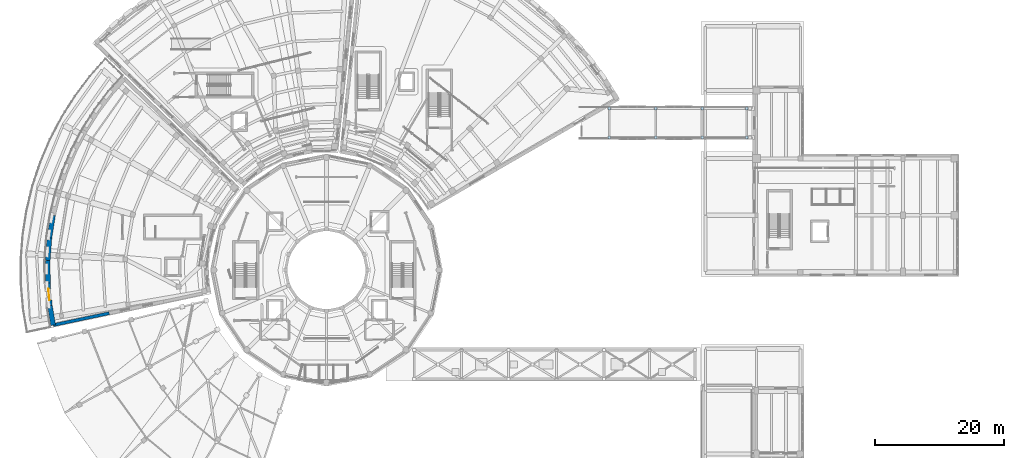
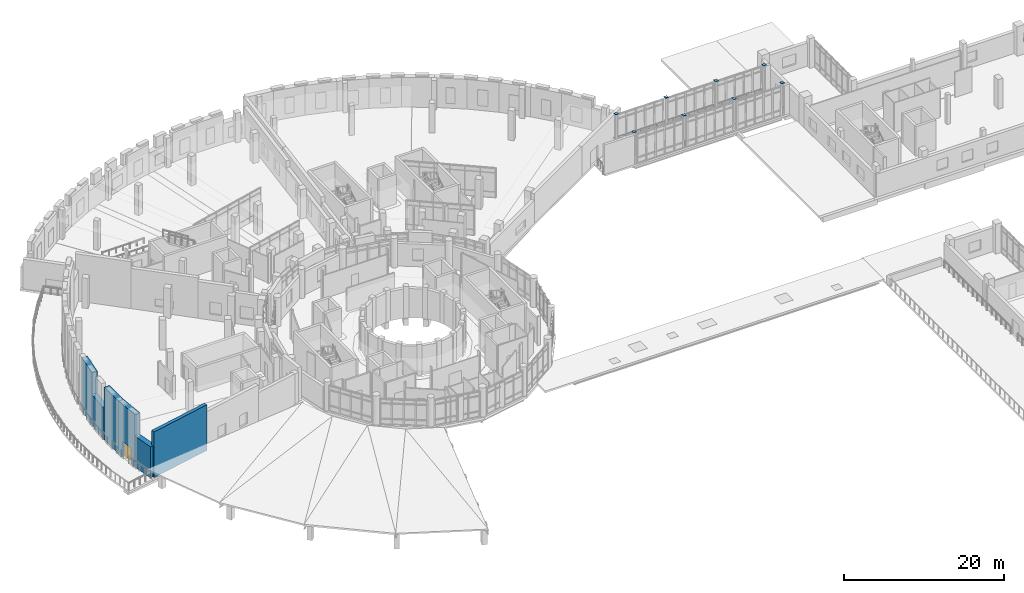
# One storey, part 48 of 75: 8 plates, 6 walls, 1 door, 1 opening.
"""IFC4 building model written with IfcOpenShell, lengths in metres."""

from ifc_helpers import new_model, si_unit, direction, frame, frame_2d, origin, origin_2d, place, context, subcontext, project, spatial, rectangle, extrude, material, layer, layer_set, type_object, element, fill, save


model = new_model("IFC4")

# Units and contexts
model_context = context("Model", 3, precision=1e-05, world=origin(), true_north=direction((0.0, 1.0)))
body_context = subcontext(model_context, "Body", "Model", "MODEL_VIEW")
ifc_project = project(units=[si_unit("LENGTHUNIT", "METRE"), si_unit("AREAUNIT", "SQUARE_METRE"), si_unit("VOLUMEUNIT", "CUBIC_METRE"), si_unit("PLANEANGLEUNIT", "RADIAN"), si_unit("MASSUNIT", "GRAM", prefix="KILO")], contexts=[model_context])

# Site, building, storey
site_placement = place(None, origin())
site = spatial("IfcSite", under=ifc_project, at=site_placement, CompositionType="ELEMENT")
building_placement = place(site_placement, origin())
building = spatial("IfcBuilding", under=site, at=building_placement, Name="Soyqirgoq Riverine Aquarium", CompositionType="ELEMENT")
storey_placement = place(building_placement, frame((0.0, 0.0, 10.199951171875)))
storey = spatial("IfcBuildingStorey", under=building, at=storey_placement, Name="L03", CompositionType="ELEMENT", Elevation=10.199951171875)

# Plates
ifc_material_1 = material(Name="Structural steel S355", Category="steel")
ifc_layer_1 = layer(ifc_material_1, 0.02490234375)
ifc_layer_set_1 = layer_set([ifc_layer_1], Name="Structural steel S355")
plate_type = type_object("IfcPlateType", Name="TubeCapPlate_25_S355", PredefinedType="USERDEFINED", material=ifc_layer_set_1)
for number, where, z_axis, x_axis, name in (
    (1, (99.800048828125, 77.550048828125, 4.800048828125), (0.0, 0.0, 1.0), (1.0, 0.0, 0.0), "Bridge Pier BR-2-CP-99-S Top Cap Plate"),
    (2, (99.800048828125, 82.050048828125, 4.800048828125), (0.0, 0.0, 1.0), (1.0, 0.0, 0.0), "Bridge Pier BR-2-CP-99-N Top Cap Plate"),
    (3, (107.0, 77.550048828125, 4.800048828125), (0.0, 0.0, 1.0), (1.0, 0.0, 0.0), "Bridge Pier BR-2-CP-107-S Top Cap Plate"),
    (4, (107.0, 82.050048828125, 4.800048828125), (0.0, 0.0, 1.0), (1.0, 0.0, 0.0), "Bridge Pier BR-2-CP-107-N Top Cap Plate"),
    (5, (114.199951171875, 77.550048828125, 4.800048828125), (0.0, 0.0, 1.0), (1.0, 0.0, 0.0), "Bridge Pier BR-2-CP-114-S Top Cap Plate"),
    (6, (114.199951171875, 82.050048828125, 4.800048828125), (0.0, 0.0, 1.0), (1.0, 0.0, 0.0), "Bridge Pier BR-2-CP-114-N Top Cap Plate"),
    (7, (121.10009765625, 77.550048828125, 4.800048828125), (0.0, 0.0, 1.0), (1.0, 0.0, 0.0), "Bridge Pier BR-2-CP-121-S Top Cap Plate"),
    (8, (121.10009765625, 82.050048828125, 4.800048828125), (0.0, 0.0, 1.0), (1.0, 0.0, 0.0), "Bridge Pier BR-2-CP-121-N Top Cap Plate"),
):
    element("IfcPlate", number, at=place(storey_placement, frame(where, z_axis=z_axis, x_axis=x_axis)), inside=storey, type_object=plate_type, Name=name, ObjectType="FLANGE_PLATE", PredefinedType="USERDEFINED", context=body_context, shape_type="SweptSolid", body=[
        extrude(rectangle(XDim=0.43994140625, YDim=0.43994140625, at=origin_2d()), origin(), (0.0, 0.0, 1.0), 0.02490234375),
    ])

# Walls
ifc_material_2 = material(Name="Honed travertine limestone cavity wall", Category="masonry")
ifc_layer_2 = layer(ifc_material_2, 0.47998046875)
ifc_layer_set_2 = layer_set([ifc_layer_2], Name="Honed travertine limestone cavity wall")
wall_type_1 = type_object("IfcWallType", Name="TravertineCavityWall_480", PredefinedType="SOLIDWALL", material=ifc_layer_set_2)
wall_1_placement = place(storey_placement, frame((22.33984375, 50.315673828125, 0.0), z_axis=(0.0, 0.0, 1.0), x_axis=(-0.97814681283, -0.207915397581, 0.0)))
element("IfcWall", 9, at=wall_1_placement, inside=storey, type_object=wall_type_1, Name="V3 L03 Exterior Travertine Wall 0143", PredefinedType="SOLIDWALL", context=body_context, shape_type="SweptSolid", body=[
    extrude(rectangle(XDim=8.86669921875, YDim=0.47998046875, at=frame_2d((4.433349609375, 0.0))), origin(), (0.0, 0.0, 1.0), 6.955078125),
])
ifc_material_3 = material(Name="Honed travertine limestone cavity wall", Category="masonry")
ifc_layer_3 = layer(ifc_material_3, 0.75)
ifc_layer_set_3 = layer_set([ifc_layer_3], Name="Honed travertine limestone cavity wall")
wall_type_2 = type_object("IfcWallType", Name="TravertineNicheWall_750", PredefinedType="SOLIDWALL", material=ifc_layer_set_3)
wall_2_placement = place(storey_placement, frame((13.6669921875, 48.47216796875, 0.0), z_axis=(0.0, 0.0, 1.0), x_axis=(-0.167946313116, 0.985796143181, 0.0)))
element("IfcWall", 10, at=wall_2_placement, inside=storey, type_object=wall_type_2, Name="V3 L03 Exterior Travertine Wall 0144", PredefinedType="SOLIDWALL", context=body_context, shape_type="SweptSolid", body=[
    extrude(rectangle(XDim=3.05712890625, YDim=0.75, at=frame_2d((1.528564453125, 0.0))), origin(), (0.0, 0.0, 1.0), 4.72314453125),
])

# Wall, opening, door
wall_3_placement = place(storey_placement, frame((13.153564453125, 51.48583984375, 0.0), z_axis=(0.0, 0.0, 1.0), x_axis=(-0.087105819412, 0.996199064557, 0.0)))
wall_3 = element("IfcWall", 11, at=wall_3_placement, inside=storey, type_object=wall_type_2, Name="V3 L03 Exterior Travertine Wall 0145", PredefinedType="SOLIDWALL", context=body_context, shape_type="SweptSolid", body=[
    extrude(rectangle(XDim=3.517578125, YDim=0.75, at=frame_2d((1.7587890625, 0.0))), origin(), (0.0, 0.0, 1.0), 8.009765625),
])
opening_placement = place(wall_3_placement, frame((0.85888671875, 0.0, 0.0)))
opening = element("IfcOpeningElement", 12, at=opening_placement, cuts=wall_3, Name="Opening TD-01", PredefinedType="OPENING", context=body_context, shape_type="SweptSolid", body=[
    extrude(rectangle(XDim=1.800048828125, YDim=2.39990234375, at=frame_2d((0.89990234375, 1.199951171875))), frame((0.0, 0.385009765625, 0.0), z_axis=(0.0, -1.0, 0.0), x_axis=(1.0, 0.0, 0.0)), (0.0, 0.0, 1.0), 0.77001953125),
])
ifc_material_4 = material(Name="Thermally broken aluminium glazed terrace door", Category="aluminium")
door_type = type_object("IfcDoorType", Name="TerraceDoubleDoor_1800x2400", OperationType="DOUBLE_DOOR_SINGLE_SWING", PredefinedType="DOOR", material=ifc_material_4)
door_placement = place(opening_placement, origin())
door = element("IfcDoor", 13, at=door_placement, inside=storey, type_object=door_type, Name="EDR-TERR-V3-L03-030 V3 L03 Planted Roof Terrace Access Door", OperationType="DOUBLE_DOOR_SINGLE_SWING", OverallHeight=2.39990234375, OverallWidth=1.800048828125, PredefinedType="DOOR", context=body_context, shape_type="SweptSolid", body=[
    extrude(rectangle(XDim=1.800048828125, YDim=2.39990234375, at=frame_2d((0.89990234375, 1.199951171875))), frame((0.0, 0.02490234375, 0.0), z_axis=(0.0, -1.0, 0.0), x_axis=(1.0, 0.0, 0.0)), (0.0, 0.0, 1.0), 0.050048828125),
])
fill(opening, door)

# Walls
wall_4_placement = place(storey_placement, frame((12.84716796875, 54.989990234375, 0.0), z_axis=(0.0, 0.0, 1.0), x_axis=(-0.005829590718, 0.999983007792, 0.0)))
element("IfcWall", 14, at=wall_4_placement, inside=storey, type_object=wall_type_2, Name="V3 L03 Exterior Travertine Wall 0146", PredefinedType="SOLIDWALL", context=body_context, shape_type="SweptSolid", body=[
    extrude(rectangle(XDim=3.517822265625, YDim=0.75, at=frame_2d((1.7587890625, 0.0))), origin(), (0.0, 0.0, 1.0), 8.009765625),
])
wall_5_placement = place(storey_placement, frame((12.82666015625, 58.5078125, 0.0), z_axis=(0.0, 0.0, 1.0), x_axis=(0.075518108063, 0.997144430539, 0.0)))
element("IfcWall", 15, at=wall_5_placement, inside=storey, type_object=wall_type_2, Name="V3 L03 Exterior Travertine Wall 0147", PredefinedType="SOLIDWALL", context=body_context, shape_type="SweptSolid", body=[
    extrude(rectangle(XDim=3.517333984375, YDim=0.75, at=frame_2d((1.7587890625, 0.0))), origin(), (0.0, 0.0, 1.0), 4.673095703125),
])
wall_6_placement = place(storey_placement, frame((13.09228515625, 62.01513671875, 0.0), z_axis=(0.0, 0.0, 1.0), x_axis=(0.156436565925, 0.987688007845, 0.0)))
element("IfcWall", 16, at=wall_6_placement, inside=storey, type_object=wall_type_2, Name="V3 L03 Exterior Travertine Wall 0148", PredefinedType="SOLIDWALL", context=body_context, shape_type="SweptSolid", body=[
    extrude(rectangle(XDim=3.517578125, YDim=0.75, at=frame_2d((1.7587890625, 0.0))), origin(), (0.0, 0.0, 1.0), 8.009765625),
])

save(model, "model.ifc")
